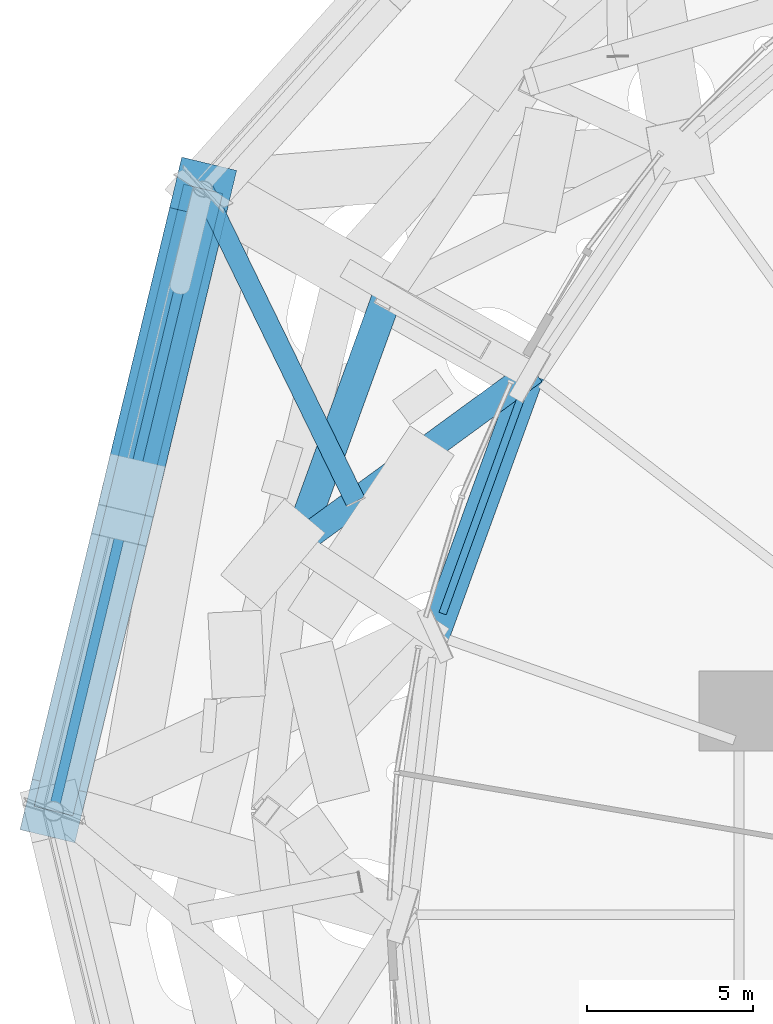
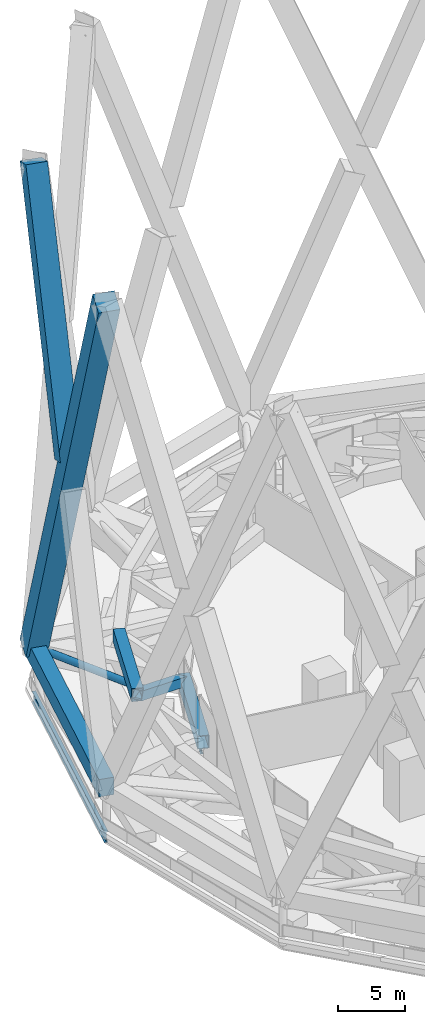
# One storey, part 18 of 51: 5 beams, 4 members.
"""IFC4 building model written with IfcOpenShell, lengths in metres."""

import ifcopenshell
import ifcopenshell.guid

model = None  # the IFC model being written
_history = None  # IfcOwnerHistory: only IFC2X3 demands one
_inside = {}  # id of a spatial element -> (the spatial element, [elements in it])
_under = {}  # id of a project, library or spatial element -> (it, [spatial elements below it])
_declared = {}  # id of a project -> (the project, [libraries it declares])
_typed = {}  # id of a type object -> (the type object, [elements of that type])
_made_of = {}  # id of a material, layer set ... -> (it, [elements and type objects made of it])


def new_model(schema):
    """Start an empty IFC model of exactly this schema.

    Asked for "IFC4X3", IfcOpenShell would pick the latest addendum, in which some entities
    have other attributes; the version numbers below select the first issue.
    IFC2X3 requires an IfcOwnerHistory on every rooted entity: one is made here for all.
    """
    global model, _history
    if schema == "IFC4X3":
        model = ifcopenshell.file(schema_version=(4, 3, 0, 0))
    else:
        model = ifcopenshell.file(schema=schema)
    _inside.clear()
    _under.clear()
    _declared.clear()
    _typed.clear()
    _made_of.clear()
    _history = None
    if model.schema == "IFC2X3":
        org = make("IfcOrganization", Name="unknown")
        user = make(
            "IfcPersonAndOrganization",
            ThePerson=make("IfcPerson", FamilyName="unknown"),
            TheOrganization=org,
        )
        app = make(
            "IfcApplication",
            ApplicationDeveloper=org,
            Version="unknown",
            ApplicationFullName="unknown",
            ApplicationIdentifier="unknown",
        )
        _history = make(
            "IfcOwnerHistory",
            OwningUser=user,
            OwningApplication=app,
            ChangeAction="ADDED",
            CreationDate=0,
        )
    return model


def make(cls, **values):
    """One entity of the class cls with the attributes given. An attribute that is None is left unset."""
    return model.create_entity(
        cls, **{name: value for name, value in values.items() if value is not None}
    )


def rooted(cls, **values):
    """An entity with a GlobalId (a new one), such as an element, a storey or a relation."""
    return make(cls, GlobalId=ifcopenshell.guid.new(), OwnerHistory=_history, **values)


def si_unit(unit_type, name, prefix=None):
    """IfcSIUnit, for example si_unit("LENGTHUNIT", "METRE", prefix="MILLI")."""
    return make("IfcSIUnit", UnitType=unit_type, Prefix=prefix, Name=name)


def assignment(units):
    """IfcUnitAssignment: the units of a project."""
    return None if units is None else make("IfcUnitAssignment", Units=units)


def point(xyz):
    """IfcCartesianPoint."""
    return None if xyz is None else make("IfcCartesianPoint", Coordinates=xyz)


def direction(xyz):
    """IfcDirection."""
    return None if xyz is None else make("IfcDirection", DirectionRatios=xyz)


def frame(location, z_axis=None, x_axis=None):
    """IfcAxis2Placement3D, a coordinate frame: its origin and axes. An axis left out is left unset."""
    return make(
        "IfcAxis2Placement3D",
        Location=point(location),
        Axis=direction(z_axis),
        RefDirection=direction(x_axis),
    )


def frame_2d(location, x_axis=None):
    """IfcAxis2Placement2D, a coordinate frame in the plane: its origin and x axis."""
    return make(
        "IfcAxis2Placement2D", Location=point(location), RefDirection=direction(x_axis)
    )


def origin():
    """The frame at (0, 0, 0) with its axes left unset."""
    return frame((0.0, 0.0, 0.0))


def origin_2d():
    """The frame at (0, 0) in the plane with its x axis left unset."""
    return frame_2d((0.0, 0.0))


def place(relative_to, where):
    """IfcLocalPlacement: puts the frame where relative to a parent placement (None: the world)."""
    return make(
        "IfcLocalPlacement", PlacementRelTo=relative_to, RelativePlacement=where
    )


def context(
    kind, dimensions, precision=None, world=None, true_north=None, identifier=None
):
    """IfcGeometricRepresentationContext, for example the 3D "Model" context."""
    return make(
        "IfcGeometricRepresentationContext",
        ContextIdentifier=identifier,
        ContextType=kind,
        CoordinateSpaceDimension=dimensions,
        Precision=precision,
        WorldCoordinateSystem=world,
        TrueNorth=true_north,
    )


def subcontext(parent, identifier, kind, view, scale=None):
    """IfcGeometricRepresentationSubContext, for example "Body" below "Model"."""
    return make(
        "IfcGeometricRepresentationSubContext",
        ContextIdentifier=identifier,
        ContextType=kind,
        ParentContext=parent,
        TargetScale=scale,
        TargetView=view,
    )


def project(units=None, contexts=None):
    """IfcProject with its units and contexts."""
    return rooted(
        "IfcProject",
        Name="project",
        RepresentationContexts=contexts,
        UnitsInContext=assignment(units),
    )


def spatial(cls, under=None, at=None, **own):
    """A site, building, storey or space (cls), placed at a placement, below another one or the project."""
    s = rooted(cls, ObjectPlacement=at, **own)
    if under is not None:
        _under.setdefault(under.id(), (under, []))[1].append(s)
    return s


def profile(cls, at=None, kind="AREA", **sizes):
    """A parametric profile (cls). Its sizes go by their IFC names, for example OverallWidth=200.0."""
    return make(cls, ProfileType=kind, Position=at, **sizes)


def rectangle(**sizes):
    """IfcRectangleProfileDef."""
    return profile("IfcRectangleProfileDef", **sizes)


def hollow_rectangle(**sizes):
    """IfcRectangleHollowProfileDef."""
    return profile("IfcRectangleHollowProfileDef", **sizes)


def hollow_circle(**sizes):
    """IfcCircleHollowProfileDef."""
    return profile("IfcCircleHollowProfileDef", **sizes)


def i_section(**sizes):
    """IfcIShapeProfileDef."""
    return profile("IfcIShapeProfileDef", **sizes)


def extrude(swept, where, along, depth):
    """IfcExtrudedAreaSolid: the profile swept, set in the frame where, extruded along a direction by depth."""
    return make(
        "IfcExtrudedAreaSolid",
        SweptArea=swept,
        Position=where,
        ExtrudedDirection=direction(along),
        Depth=depth,
    )


def shape(context_of_items, identifier, shape_type, items):
    """IfcShapeRepresentation: the items that make up one representation, for example the "Body"."""
    return make(
        "IfcShapeRepresentation",
        ContextOfItems=context_of_items,
        RepresentationIdentifier=identifier,
        RepresentationType=shape_type,
        Items=items,
    )


def material(Name=None, Category=None):
    """IfcMaterial."""
    return make("IfcMaterial", Name=Name, Category=Category)


def material_profile(
    of_material, cross_section, Name=None, Category=None, Priority=None
):
    """IfcMaterialProfile: a cross section and its material."""
    return make(
        "IfcMaterialProfile",
        Name=Name,
        Material=of_material,
        Profile=cross_section,
        Priority=Priority,
        Category=Category,
    )


def profile_set(profiles, Name=None, composite=None):
    """IfcMaterialProfileSet."""
    return make(
        "IfcMaterialProfileSet",
        Name=Name,
        MaterialProfiles=profiles,
        CompositeProfile=composite,
    )


def made_of(thing, what):
    """Note that an element or type object is made of a material, layer set ...; save() writes the relation."""
    if what is not None:
        _made_of.setdefault(what.id(), (what, []))[1].append(thing)
    return thing


def type_object(cls, material=None, **own):
    """A type object (cls), such as IfcWallType, which elements share."""
    return made_of(rooted(cls, **own), material)


def element(
    cls,
    number,
    at=None,
    inside=None,
    cuts=None,
    type_object=None,
    material=None,
    context=None,
    identifier="Body",
    shape_type=None,
    held_by="IfcProductDefinitionShape",
    body=None,
    shapes=None,
    **own,
):
    """One element of the class cls, such as IfcWall. Its Tag is "e" and its number.

    at: its placement. inside: the storey or other place that contains it. cuts: it is an
    opening in that element (IfcRelVoidsElement). A single representation is given by context,
    identifier, shape_type and body (its items); several are given by shapes. held_by: the class
    of the entity that holds the representations. save() writes the other relations.
    """
    e = rooted(cls, Tag="e%d" % number, ObjectPlacement=at, **own)
    if body is not None:
        shapes = [shape(context, identifier, shape_type, body)]
    if shapes is not None:
        e.Representation = make(held_by, Representations=shapes)
    if inside is not None:
        _inside.setdefault(inside.id(), (inside, []))[1].append(e)
    if cuts is not None:
        rooted(
            "IfcRelVoidsElement", RelatingBuildingElement=cuts, RelatedOpeningElement=e
        )
    if type_object is not None:
        _typed.setdefault(type_object.id(), (type_object, []))[1].append(e)
    return made_of(e, material)


def aggregate(whole, parts):
    """IfcRelAggregates: a whole, such as a stair, and the parts it consists of."""
    return rooted("IfcRelAggregates", RelatingObject=whole, RelatedObjects=parts)


def save(model, path):
    """Write the relations noted so far, then the file.

    IfcRelAggregates (storeys below a building ...), IfcRelContainedInSpatialStructure (elements
    in a storey), IfcRelDefinesByType, IfcRelAssociatesMaterial and IfcRelDeclares: one each for
    every whole, place, type object, material and project.
    """
    for whole, parts in _under.values():
        aggregate(whole, parts)
    for where, things in _inside.values():
        rooted(
            "IfcRelContainedInSpatialStructure",
            RelatedElements=things,
            RelatingStructure=where,
        )
    for kind, things in _typed.values():
        rooted("IfcRelDefinesByType", RelatedObjects=things, RelatingType=kind)
    for what, things in _made_of.values():
        rooted("IfcRelAssociatesMaterial", RelatedObjects=things, RelatingMaterial=what)
    for by, libraries in _declared.values():
        rooted("IfcRelDeclares", RelatingContext=by, RelatedDefinitions=libraries)
    model.write(path)


model = new_model("IFC4")

# Units and contexts
model_context = context("Model", 3, precision=1e-05, world=origin(), true_north=direction((0.0, 1.0)))
body_context = subcontext(model_context, "Body", "Model", "MODEL_VIEW")
ifc_project = project(units=[si_unit("LENGTHUNIT", "METRE"), si_unit("AREAUNIT", "SQUARE_METRE"), si_unit("VOLUMEUNIT", "CUBIC_METRE"), si_unit("PLANEANGLEUNIT", "RADIAN"), si_unit("MASSUNIT", "GRAM", prefix="KILO")], contexts=[model_context])

# Site, building, storey
site_placement = place(None, origin())
site = spatial("IfcSite", under=ifc_project, at=site_placement, CompositionType="ELEMENT")
building_placement = place(site_placement, origin())
building = spatial("IfcBuilding", under=site, at=building_placement, Name="Nagisa Residences", CompositionType="ELEMENT")
storey_placement = place(building_placement, frame((0.0, 0.0, 67.699951171875)))
storey = spatial("IfcBuildingStorey", under=building, at=storey_placement, Name="L16", CompositionType="ELEMENT", Elevation=67.699951171875)

# Beams
ifc_material_1 = material(Name="Steel ASTM A572 Gr 50", Category="steel")
ifc_material_profile_1 = material_profile(ifc_material_1, hollow_rectangle(XDim=0.89990234375, YDim=1.199951171875, WallThickness=0.050048828125, at=origin_2d()), Name="BX 900x1200x50")
ifc_profile_set_1 = profile_set([ifc_material_profile_1], Name="Steel ASTM A572 Gr 50")
beam_type_1 = type_object("IfcBeamType", Name="Belt chord 1 BX 900x1200x50", PredefinedType="BEAM", material=ifc_profile_set_1)
beam_1_placement = place(storey_placement, frame((-21.081787109375, 16.25, 0.60009765625), z_axis=(-0.34140925968, -0.939914739434, 0.0), x_axis=(0.939914739434, -0.34140925968, 0.0)))
element("IfcBeam", 1, at=beam_1_placement, inside=storey, type_object=beam_type_1, Name="beam:L16:bt1b11", PredefinedType="BEAM", context=body_context, shape_type="SweptSolid", body=[
    extrude(hollow_rectangle(XDim=0.89990234375, YDim=1.199951171875, WallThickness=0.050048828125, at=origin_2d()), origin(), (0.0, 0.0, 1.0), 8.33935546875),
])
beam_2_placement = place(storey_placement, frame((-25.3515625, 18.625244140625, 4.739990234375), z_axis=(-0.341378490928, -0.939925915129, 0.0), x_axis=(0.939925915129, -0.341378490928, 0.0)))
element("IfcBeam", 2, at=beam_2_placement, inside=storey, type_object=beam_type_1, Name="beam:L16:bt1t11", PredefinedType="BEAM", context=body_context, shape_type="SweptSolid", body=[
    extrude(hollow_rectangle(XDim=0.89990234375, YDim=1.199951171875, WallThickness=0.050048828125, at=origin_2d()), origin(), (0.0, 0.0, 1.0), 7.958251953125),
])
ifc_material_2 = material(Name="Steel ASTM A572 Gr 50", Category="steel")
ifc_material_profile_2 = material_profile(ifc_material_2, hollow_rectangle(XDim=0.800048828125, YDim=0.800048828125, WallThickness=0.044921875, at=origin_2d()), Name="BX 800x800x45")
ifc_profile_set_2 = profile_set([ifc_material_profile_2], Name="Steel ASTM A572 Gr 50")
beam_type_2 = type_object("IfcBeamType", Name="Belt diagonal 1 BX 800x800x45", PredefinedType="BEAM", material=ifc_profile_set_2)
beam_3_placement = place(storey_placement, frame((-21.081787109375, 16.25, 0.60009765625), z_axis=(-0.728354087277, -0.532197084424, 0.431586129153), x_axis=(0.589972021533, -0.807423689154, 0.0)))
element("IfcBeam", 3, at=beam_3_placement, inside=storey, type_object=beam_type_2, Name="beam:L16:bt1db11", PredefinedType="BEAM", context=body_context, shape_type="SweptSolid", body=[
    extrude(hollow_rectangle(XDim=0.800048828125, YDim=0.800048828125, WallThickness=0.044921875, at=origin_2d()), origin(), (0.0, 0.0, 1.0), 9.59228515625),
])

# Members
ifc_material_3 = material(Name="Concrete C80", Category="concrete")
ifc_material_profile_3 = material_profile(ifc_material_3, rectangle(XDim=1.699951171875, YDim=1.699951171875, at=origin_2d()), Name="C80 1700x1700")
ifc_profile_set_3 = profile_set([ifc_material_profile_3], Name="Concrete C80")
member_type_1 = type_object("IfcMemberType", Name="Cage diagonal 2 C80 1700x1700", PredefinedType="BRACE", material=ifc_profile_set_3)
member_1_placement = place(storey_placement, frame((-30.89404296875, 21.8251953125, 3.699951171875), z_axis=(-0.092838574686, -0.385867250156, 0.917871158882), x_axis=(0.972255388085, -0.233921910771, 0.0)))
element("IfcMember", 4, at=member_1_placement, inside=storey, type_object=member_type_1, Name="mem:L16:cg2d011", PredefinedType="BRACE", context=body_context, shape_type="SweptSolid", body=[
    extrude(rectangle(XDim=1.699951171875, YDim=1.699951171875, at=origin_2d()), origin(), (0.0, 0.0, 1.0), 48.481689453125),
])
member_2_placement = place(storey_placement, frame((-33.0380859375, 12.913818359375, 27.00244140625), z_axis=(0.092838857269, 0.385870089861, 0.917869936501), x_axis=(-0.972255617672, 0.233920956533, 0.0)))
element("IfcMember", 5, at=member_2_placement, inside=storey, type_object=member_type_1, Name="mem:L16:cg2d012b", PredefinedType="BRACE", context=body_context, shape_type="SweptSolid", body=[
    extrude(rectangle(XDim=1.699951171875, YDim=1.699951171875, at=origin_2d()), origin(), (0.0, 0.0, 1.0), 23.09423828125),
])
ifc_material_4 = material(Name="Concrete C80", Category="concrete")
ifc_material_profile_4 = material_profile(ifc_material_4, rectangle(XDim=1.199951171875, YDim=1.60009765625, at=origin_2d()), Name="C80 1200x1600")
ifc_profile_set_4 = profile_set([ifc_material_profile_4], Name="Concrete C80")
member_type_2 = type_object("IfcMemberType", Name="Cage ring 2 C80 1200x1600", PredefinedType="CHORD", material=ifc_profile_set_4)
member_3_placement = place(storey_placement, frame((-30.89404296875, 21.8251953125, 3.699951171875), z_axis=(-0.233921910771, -0.972255388085, 0.0), x_axis=(0.972255388085, -0.233921910771, 0.0)))
element("IfcMember", 6, at=member_3_placement, inside=storey, type_object=member_type_2, Name="beam:L16:cg2r006", PredefinedType="CHORD", context=body_context, shape_type="SweptSolid", body=[
    extrude(rectangle(XDim=1.199951171875, YDim=1.60009765625, at=origin_2d()), origin(), (0.0, 0.0, 1.0), 19.241455078125),
])
ifc_material_5 = material(Name="Steel ASTM A572 Gr 65", Category="steel")
ifc_material_profile_5 = material_profile(ifc_material_5, hollow_circle(Radius=0.304931640625, WallThickness=0.02490234375, at=origin_2d()), Name="CHS 610x25")
ifc_profile_set_5 = profile_set([ifc_material_profile_5], Name="Steel ASTM A572 Gr 65")
member_type_3 = type_object("IfcMemberType", Name="Cage strut CHS 610x25", PredefinedType="STRUT", material=ifc_profile_set_5)
member_4_placement = place(storey_placement, frame((-30.89404296875, 21.8251953125, 3.699951171875), z_axis=(0.438158142439, -0.898897904222, 0.0), x_axis=(0.898897904222, 0.438158142439, 0.0)))
element("IfcMember", 7, at=member_4_placement, inside=storey, type_object=member_type_3, Name="mem:L16:bt1st2b06", PredefinedType="STRUT", context=body_context, shape_type="SweptSolid", body=[
    extrude(hollow_circle(Radius=0.304931640625, WallThickness=0.02490234375, at=origin_2d()), origin(), (0.0, 0.0, 1.0), 10.45458984375),
])

# Beams
ifc_material_6 = material(Name="Steel ASTM A572 Gr 50", Category="steel")
ifc_material_profile_6 = material_profile(ifc_material_6, i_section(OverallWidth=0.300048828125, OverallDepth=0.97998046875, WebThickness=0.0166015625, FlangeThickness=0.02587890625, at=origin_2d()), Name="W1000x249")
ifc_profile_set_6 = profile_set([ifc_material_profile_6], Name="Steel ASTM A572 Gr 50")
beam_type_3 = type_object("IfcBeamType", Name="Deck edge beam W1000x249", PredefinedType="BEAM", material=ifc_profile_set_6)
beam_4_placement = place(storey_placement, frame((-30.89404296875, 21.8251953125, -0.889892578125), z_axis=(-0.233921910771, -0.972255388085, 0.0), x_axis=(0.972255388085, -0.233921910771, 0.0)))
element("IfcBeam", 8, at=beam_4_placement, inside=storey, type_object=beam_type_3, Name="beam:L16:deckedge06", PredefinedType="BEAM", context=body_context, shape_type="SweptSolid", body=[
    extrude(i_section(OverallWidth=0.300048828125, OverallDepth=0.97998046875, WebThickness=0.0166015625, FlangeThickness=0.02587890625, at=origin_2d()), origin(), (0.0, 0.0, 1.0), 19.241455078125),
])
ifc_material_7 = material(Name="Steel ASTM A572 Gr 50", Category="steel")
ifc_material_profile_7 = material_profile(ifc_material_7, i_section(OverallWidth=0.22900390625, OverallDepth=0.612060546875, WebThickness=0.011962890625, FlangeThickness=0.01953125, at=origin_2d()), Name="W610x125")
ifc_profile_set_7 = profile_set([ifc_material_profile_7], Name="Steel ASTM A572 Gr 50")
beam_type_4 = type_object("IfcBeamType", Name="Perimeter ring beam W610x125", PredefinedType="BEAM", material=ifc_profile_set_7)
beam_5_placement = place(storey_placement, frame((-21.315673828125, 15.60595703125, -0.656005859375), z_axis=(-0.341411143183, -0.939914055279, 0.0), x_axis=(0.939914055279, -0.341411143183, 0.0)))
element("IfcBeam", 9, at=beam_5_placement, inside=storey, type_object=beam_type_4, Name="beam:L16:pb11", PredefinedType="BEAM", context=body_context, shape_type="SweptSolid", body=[
    extrude(i_section(OverallWidth=0.22900390625, OverallDepth=0.612060546875, WebThickness=0.011962890625, FlangeThickness=0.01953125, at=origin_2d()), origin(), (0.0, 0.0, 1.0), 6.96923828125),
])

save(model, "model.ifc")
